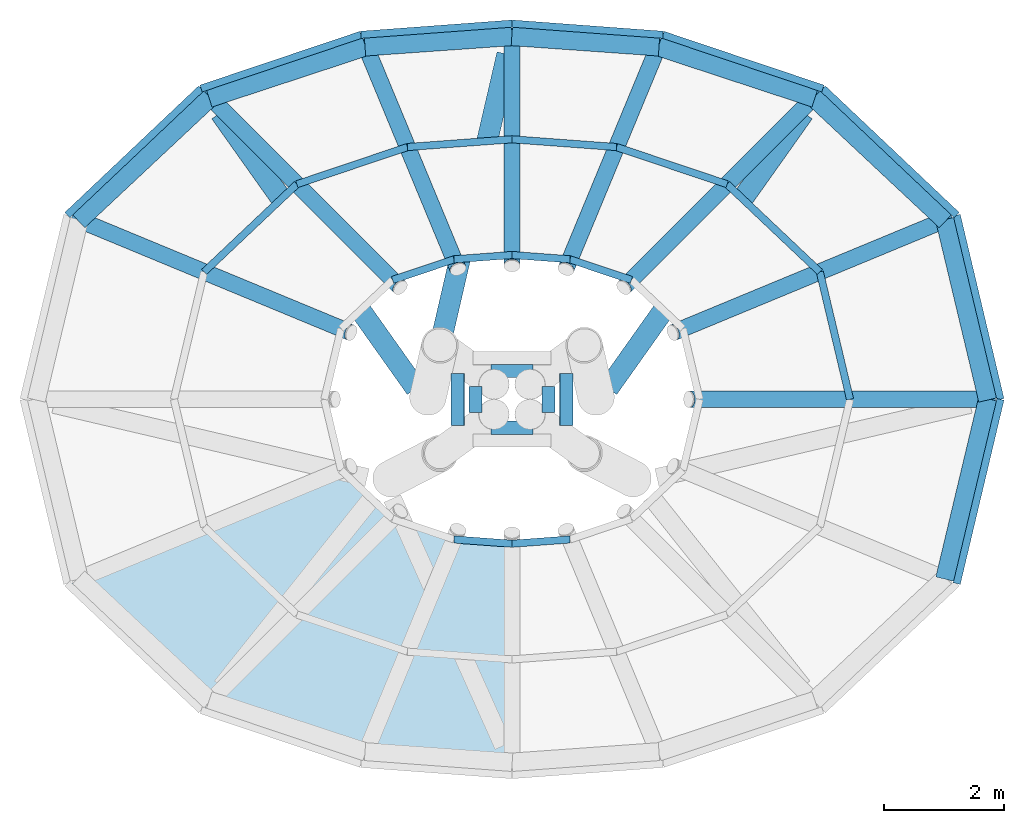
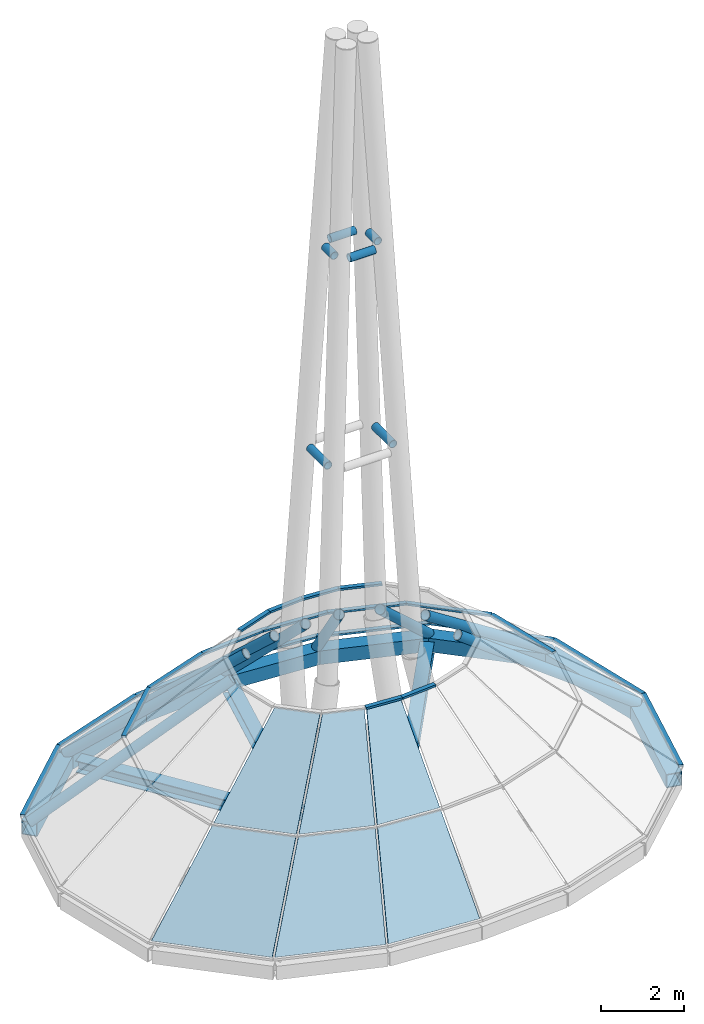
# One storey, part 2 of 4: 35 members, 11 beams, 6 plates, 12 elements without a shape of their own.
"""IFC4 building model written with IfcOpenShell, lengths in metres."""

from ifc_helpers import new_model, si_unit, direction, frame, origin, origin_2d, place, context, subcontext, project, spatial, polyline, rectangle, hollow_rectangle, hollow_circle, i_section, outline, extrude, material, layer, layer_set, material_profile, profile_set, type_object, element, aggregate, save


model = new_model("IFC4")

# Units and contexts
model_context = context("Model", 3, precision=1e-05, world=origin(), true_north=direction((0.0, 1.0)))
body_context = subcontext(model_context, "Body", "Model", "MODEL_VIEW")
ifc_project = project(units=[si_unit("LENGTHUNIT", "METRE"), si_unit("AREAUNIT", "SQUARE_METRE"), si_unit("VOLUMEUNIT", "CUBIC_METRE"), si_unit("PLANEANGLEUNIT", "RADIAN"), si_unit("MASSUNIT", "GRAM", prefix="KILO")], contexts=[model_context])

# Site, building, storey
site_placement = place(None, origin())
site = spatial("IfcSite", under=ifc_project, at=site_placement, CompositionType="ELEMENT")
building_placement = place(site_placement, origin())
building = spatial("IfcBuilding", under=site, at=building_placement, Name="Rubra Terraces Tower", CompositionType="ELEMENT")
storey_placement = place(building_placement, frame((0.0, 0.0, 333.0)))
storey = spatial("IfcBuildingStorey", under=building, at=storey_placement, Name="L82", CompositionType="ELEMENT", Elevation=333.0)

# Members
ifc_material_1 = material(Name="Steel Q355B", Category="steel")
ifc_material_profile_1 = material_profile(ifc_material_1, hollow_circle(Radius=0.136474609375, WallThickness=0.011962890625, at=origin_2d()), Name="CHS 273x12")
ifc_profile_set_1 = profile_set([ifc_material_profile_1], Name="Steel Q355B")
member_type_1 = type_object("IfcMemberType", Name="CROWN POST CHS 273x12", PredefinedType="POST", material=ifc_profile_set_1)
member_1_placement = place(storey_placement, frame((7.95458984375, 0.0, -0.199951171875), z_axis=(-0.800056239455, 0.0, 0.599925006738), x_axis=(0.0, -1.0, 0.0)))
element("IfcMember", 1, at=member_1_placement, inside=storey, type_object=member_type_1, Name="CROWN POST", PredefinedType="POST", context=body_context, shape_type="SweptSolid", body=[
    extrude(hollow_circle(Radius=0.136474609375, WallThickness=0.011962890625, at=origin_2d()), origin(), (0.0, 0.0, 1.0), 6.250732421875),
])
member_2_placement = place(storey_placement, frame((7.240234375, 2.999267578125, -0.199951171875), z_axis=(-0.735221590277, -0.304551814301, 0.605555452124), x_axis=(0.382697440343, -0.923873730092, 0.0)))
element("IfcMember", 2, at=member_2_placement, inside=storey, type_object=member_type_1, Name="CROWN POST", PredefinedType="POST", context=body_context, shape_type="SweptSolid", body=[
    extrude(hollow_circle(Radius=0.136474609375, WallThickness=0.011962890625, at=origin_2d()), origin(), (0.0, 0.0, 1.0), 6.192626953125),
])
member_3_placement = place(storey_placement, frame((5.05029296875, 5.05029296875, -0.199951171875), z_axis=(-0.543293159565, -0.543293159565, 0.640050846059), x_axis=(0.707106781187, -0.707106781187, 0.0)))
element("IfcMember", 3, at=member_3_placement, inside=storey, type_object=member_type_1, Name="CROWN POST", PredefinedType="POST", context=body_context, shape_type="SweptSolid", body=[
    extrude(hollow_circle(Radius=0.136474609375, WallThickness=0.011962890625, at=origin_2d()), origin(), (0.0, 0.0, 1.0), 5.85888671875),
])
member_4_placement = place(storey_placement, frame((2.447265625, 5.9072265625, -0.199951171875), z_axis=(-0.280626944211, -0.677074510125, 0.680307743541), x_axis=(0.923795816776, -0.382885477536, 0.0)))
element("IfcMember", 4, at=member_4_placement, inside=storey, type_object=member_type_1, Name="CROWN POST", PredefinedType="POST", context=body_context, shape_type="SweptSolid", body=[
    extrude(hollow_circle(Radius=0.136474609375, WallThickness=0.011962890625, at=origin_2d()), origin(), (0.0, 0.0, 1.0), 5.51220703125),
])
member_5_placement = place(storey_placement, frame((0.0, 6.08056640625, -0.199951171875), z_axis=(0.0, -0.716092126165, 0.698005778518), x_axis=(1.0, 0.0, 0.0)))
element("IfcMember", 5, at=member_5_placement, inside=storey, type_object=member_type_1, Name="CROWN POST", PredefinedType="POST", context=body_context, shape_type="SweptSolid", body=[
    extrude(hollow_circle(Radius=0.136474609375, WallThickness=0.011962890625, at=origin_2d()), origin(), (0.0, 0.0, 1.0), 5.37255859375),
])
member_6_placement = place(storey_placement, frame((-2.447265625, 5.9072265625, -0.199951171875), z_axis=(0.280626944211, -0.677074510125, 0.680307743541), x_axis=(0.923795816776, 0.382885477536, 0.0)))
element("IfcMember", 6, at=member_6_placement, inside=storey, type_object=member_type_1, Name="CROWN POST", PredefinedType="POST", context=body_context, shape_type="SweptSolid", body=[
    extrude(hollow_circle(Radius=0.136474609375, WallThickness=0.011962890625, at=origin_2d()), origin(), (0.0, 0.0, 1.0), 5.51220703125),
])
member_7_placement = place(storey_placement, frame((-5.05029296875, 5.05029296875, -0.199951171875), z_axis=(0.543293159565, -0.543293159565, 0.640050846059), x_axis=(0.707106781187, 0.707106781187, 0.0)))
element("IfcMember", 7, at=member_7_placement, inside=storey, type_object=member_type_1, Name="CROWN POST", PredefinedType="POST", context=body_context, shape_type="SweptSolid", body=[
    extrude(hollow_circle(Radius=0.136474609375, WallThickness=0.011962890625, at=origin_2d()), origin(), (0.0, 0.0, 1.0), 5.85888671875),
])
member_8_placement = place(storey_placement, frame((-7.240234375, 2.999267578125, -0.199951171875), z_axis=(0.735221590277, -0.304551814301, 0.605555452124), x_axis=(0.382697440343, 0.923873730092, 0.0)))
element("IfcMember", 8, at=member_8_placement, inside=storey, type_object=member_type_1, Name="CROWN POST", PredefinedType="POST", context=body_context, shape_type="SweptSolid", body=[
    extrude(hollow_circle(Radius=0.136474609375, WallThickness=0.011962890625, at=origin_2d()), origin(), (0.0, 0.0, 1.0), 6.192626953125),
])

# Beams
ifc_material_profile_2 = material_profile(ifc_material_1, hollow_rectangle(XDim=0.39990234375, YDim=0.39990234375, WallThickness=0.02001953125, at=origin_2d()), Name="BOX 400x400x20")
ifc_profile_set_2 = profile_set([ifc_material_profile_2], Name="Steel Q355B")
beam_type_1 = type_object("IfcBeamType", Name="CROWN RING GIRDER BOX 400x400x20", PredefinedType="BEAM", material=ifc_profile_set_2)
beam_1_placement = place(storey_placement, frame((7.955078125, 0.0, -0.39990234375), z_axis=(-0.231938111771, 0.972730544554, 0.0), x_axis=(-0.972730544554, -0.231938111771, 0.0)))
element("IfcBeam", 9, at=beam_1_placement, inside=storey, type_object=beam_type_1, Name="CROWN RING GIRDER", PredefinedType="BEAM", context=body_context, shape_type="SweptSolid", body=[
    extrude(hollow_rectangle(XDim=0.39990234375, YDim=0.39990234375, WallThickness=0.02001953125, at=origin_2d()), origin(), (0.0, 0.0, 1.0), 3.0830078125),
])
beam_2_placement = place(storey_placement, frame((7.239990234375, 2.9990234375, -0.39990234375), z_axis=(-0.729877136986, 0.683578353157, 0.0), x_axis=(-0.683578353157, -0.729877136986, 0.0)))
element("IfcBeam", 10, at=beam_2_placement, inside=storey, type_object=beam_type_1, Name="CROWN RING GIRDER", PredefinedType="BEAM", context=body_context, shape_type="SweptSolid", body=[
    extrude(hollow_rectangle(XDim=0.39990234375, YDim=0.39990234375, WallThickness=0.02001953125, at=origin_2d()), origin(), (0.0, 0.0, 1.0), 3.00048828125),
])
beam_3_placement = place(storey_placement, frame((5.050048828125, 5.050048828125, -0.39990234375), z_axis=(-0.949852695666, 0.312697707915, 0.0), x_axis=(-0.312697707915, -0.949852695666, 0.0)))
element("IfcBeam", 11, at=beam_3_placement, inside=storey, type_object=beam_type_1, Name="CROWN RING GIRDER", PredefinedType="BEAM", context=body_context, shape_type="SweptSolid", body=[
    extrude(hollow_rectangle(XDim=0.39990234375, YDim=0.39990234375, WallThickness=0.02001953125, at=origin_2d()), origin(), (0.0, 0.0, 1.0), 2.740478515625),
])
for number, where, z_axis, x_axis, name in (
    (12, (2.447021484375, 5.906982421875, -0.39990234375), (-0.997507467046, 0.070560989139, 0.0), (-0.070560989139, -0.997507467046, 0.0), "CROWN RING GIRDER"),
    (13, (0.0, 6.080078125, -0.39990234375), (-0.997507467046, -0.070560989139, 0.0), (0.070560989139, -0.997507467046, 0.0), "CROWN RING GIRDER"),
):
    element("IfcBeam", number, at=place(storey_placement, frame(where, z_axis=z_axis, x_axis=x_axis)), inside=storey, type_object=beam_type_1, Name=name, PredefinedType="BEAM", context=body_context, shape_type="SweptSolid", body=[
        extrude(hollow_rectangle(XDim=0.39990234375, YDim=0.39990234375, WallThickness=0.02001953125, at=origin_2d()), origin(), (0.0, 0.0, 1.0), 2.453125),
    ])
beam_4_placement = place(storey_placement, frame((-2.447021484375, 5.906982421875, -0.39990234375), z_axis=(-0.949852695666, -0.312697707915, 0.0), x_axis=(0.312697707915, -0.949852695666, 0.0)))
element("IfcBeam", 14, at=beam_4_placement, inside=storey, type_object=beam_type_1, Name="CROWN RING GIRDER", PredefinedType="BEAM", context=body_context, shape_type="SweptSolid", body=[
    extrude(hollow_rectangle(XDim=0.39990234375, YDim=0.39990234375, WallThickness=0.02001953125, at=origin_2d()), origin(), (0.0, 0.0, 1.0), 2.740478515625),
])
beam_5_placement = place(storey_placement, frame((-5.050048828125, 5.050048828125, -0.39990234375), z_axis=(-0.729877136986, -0.683578353157, 0.0), x_axis=(0.683578353157, -0.729877136986, 0.0)))
element("IfcBeam", 15, at=beam_5_placement, inside=storey, type_object=beam_type_1, Name="CROWN RING GIRDER", PredefinedType="BEAM", context=body_context, shape_type="SweptSolid", body=[
    extrude(hollow_rectangle(XDim=0.39990234375, YDim=0.39990234375, WallThickness=0.02001953125, at=origin_2d()), origin(), (0.0, 0.0, 1.0), 3.00048828125),
])
beam_6_placement = place(storey_placement, frame((7.239990234375, -2.9990234375, -0.39990234375), z_axis=(0.231938111771, 0.972730544554, 0.0), x_axis=(-0.972730544554, 0.231938111771, 0.0)))
element("IfcBeam", 16, at=beam_6_placement, inside=storey, type_object=beam_type_1, Name="CROWN RING GIRDER", PredefinedType="BEAM", context=body_context, shape_type="SweptSolid", body=[
    extrude(hollow_rectangle(XDim=0.39990234375, YDim=0.39990234375, WallThickness=0.02001953125, at=origin_2d()), origin(), (0.0, 0.0, 1.0), 3.0830078125),
])

# Curtain wall, members
ifc_material_2 = material(Name="Aluminium and glass", Category="aluminium")
curtain_wall_type = type_object("IfcCurtainWallType", Name="Curtain wall Crown glazing", PredefinedType="NOTDEFINED", material=ifc_material_2)
curtain_wall_1_placement = place(storey_placement, origin())
curtain_wall_1 = element("IfcCurtainWall", 17, at=curtain_wall_1_placement, inside=storey, type_object=curtain_wall_type, Name="Crown glazing L82 facet 1", PredefinedType="NOTDEFINED")
ifc_material_3 = material(Name="Aluminium, anodised dark grey", Category="aluminium")
ifc_material_profile_3 = material_profile(ifc_material_3, rectangle(XDim=0.1201171875, YDim=0.06005859375, at=origin_2d()), Name="AL 120x60")
ifc_profile_set_3 = profile_set([ifc_material_profile_3], Name="Aluminium, anodised dark grey")
member_type_2 = type_object("IfcMemberType", Name="Crown glazing transom 120 x 60", PredefinedType="USERDEFINED", material=ifc_profile_set_3)
member_9_placement = place(storey_placement, frame((8.12109375, 0.0, 0.0), z_axis=(-0.230949465478, 0.972965746774, 0.0), x_axis=(-0.972965746774, -0.230949465478, 0.0)))
member_9 = element("IfcMember", 18, at=member_9_placement, type_object=member_type_2, Name="Crown glazing L82 facet 1 transom 1", ObjectType="TRANSOM", PredefinedType="USERDEFINED", context=body_context, shape_type="SweptSolid", body=[
    extrude(rectangle(XDim=0.1201171875, YDim=0.06005859375, at=origin_2d()), origin(), (0.0, 0.0, 1.0), 3.148193359375),
])
member_10_placement = place(storey_placement, frame((5.62060546875, 0.0, 2.10009765625), z_axis=(-0.23091864147, 0.972973062845, 0.0), x_axis=(-0.972973062845, -0.23091864147, 0.0)))
member_10 = element("IfcMember", 19, at=member_10_placement, type_object=member_type_2, Name="Crown glazing L82 facet 1 transom 2", ObjectType="TRANSOM", PredefinedType="USERDEFINED", context=body_context, shape_type="SweptSolid", body=[
    extrude(rectangle(XDim=0.1201171875, YDim=0.06005859375, at=origin_2d()), origin(), (0.0, 0.0, 1.0), 2.178955078125),
])
aggregate(curtain_wall_1, [member_9, member_10])

curtain_wall_2_placement = place(storey_placement, origin())
curtain_wall_2 = element("IfcCurtainWall", 20, at=curtain_wall_2_placement, inside=storey, type_object=curtain_wall_type, Name="Crown glazing L82 facet 2", PredefinedType="NOTDEFINED")
member_11_placement = place(storey_placement, frame((7.39404296875, 3.06298828125, 0.0), z_axis=(-0.726593128338, 0.687067992161, 0.0), x_axis=(-0.687067992161, -0.726593128338, 0.0)))
member_11 = element("IfcMember", 21, at=member_11_placement, type_object=member_type_2, Name="Crown glazing L82 facet 2 transom 1", ObjectType="TRANSOM", PredefinedType="USERDEFINED", context=body_context, shape_type="SweptSolid", body=[
    extrude(rectangle(XDim=0.1201171875, YDim=0.06005859375, at=origin_2d()), origin(), (0.0, 0.0, 1.0), 3.063720703125),
])
member_12_placement = place(storey_placement, frame((5.1171875, 2.119873046875, 2.10009765625), z_axis=(-0.726578716287, 0.687083232977, 0.0), x_axis=(-0.687083232977, -0.726578716287, 0.0)))
member_12 = element("IfcMember", 22, at=member_12_placement, type_object=member_type_2, Name="Crown glazing L82 facet 2 transom 2", ObjectType="TRANSOM", PredefinedType="USERDEFINED", context=body_context, shape_type="SweptSolid", body=[
    extrude(rectangle(XDim=0.1201171875, YDim=0.06005859375, at=origin_2d()), origin(), (0.0, 0.0, 1.0), 2.120361328125),
])
aggregate(curtain_wall_2, [member_11, member_12])

curtain_wall_3_placement = place(storey_placement, origin())
curtain_wall_3 = element("IfcCurtainWall", 23, at=curtain_wall_3_placement, inside=storey, type_object=curtain_wall_type, Name="Crown glazing L82 facet 3", PredefinedType="NOTDEFINED")
member_13_placement = place(storey_placement, frame((5.16796875, 5.16796875, 0.0), z_axis=(-0.947887726261, 0.318604548623, 0.0), x_axis=(-0.318604548623, -0.947887726261, 0.0)))
member_13 = element("IfcMember", 24, at=member_13_placement, type_object=member_type_2, Name="Crown glazing L82 facet 3 transom 1", ObjectType="TRANSOM", PredefinedType="USERDEFINED", context=body_context, shape_type="SweptSolid", body=[
    extrude(rectangle(XDim=0.1201171875, YDim=0.06005859375, at=origin_2d()), origin(), (0.0, 0.0, 1.0), 2.802978515625),
])
member_14_placement = place(storey_placement, frame((3.57666015625, 3.57666015625, 2.10009765625), z_axis=(-0.947900350353, 0.318566987934, 0.0), x_axis=(-0.318566987934, -0.947900350353, 0.0)))
member_14 = element("IfcMember", 25, at=member_14_placement, type_object=member_type_2, Name="Crown glazing L82 facet 3 transom 2", ObjectType="TRANSOM", PredefinedType="USERDEFINED", context=body_context, shape_type="SweptSolid", body=[
    extrude(rectangle(XDim=0.1201171875, YDim=0.06005859375, at=origin_2d()), origin(), (0.0, 0.0, 1.0), 1.9404296875),
])
member_15_placement = place(storey_placement, frame((1.985107421875, 1.9853515625, 4.199951171875), z_axis=(-0.947887198048, 0.318606120118, 0.0), x_axis=(-0.318606120118, -0.947887198048, 0.0)))
member_15 = element("IfcMember", 26, at=member_15_placement, type_object=member_type_2, Name="Crown glazing L82 facet 3 transom 3", ObjectType="TRANSOM", PredefinedType="USERDEFINED", context=body_context, shape_type="SweptSolid", body=[
    extrude(rectangle(XDim=0.1201171875, YDim=0.06005859375, at=origin_2d()), origin(), (0.0, 0.0, 1.0), 1.077392578125),
])
aggregate(curtain_wall_3, [member_13, member_14, member_15])

curtain_wall_4_placement = place(storey_placement, origin())
curtain_wall_4 = element("IfcCurtainWall", 27, at=curtain_wall_4_placement, inside=storey, type_object=curtain_wall_type, Name="Crown glazing L82 facet 4", PredefinedType="NOTDEFINED")
member_16_placement = place(storey_placement, frame((2.510986328125, 6.06103515625, 0.0), z_axis=(-0.997266696093, 0.073885972039, 0.0), x_axis=(-0.073885972039, -0.997266696093, 0.0)))
member_16 = element("IfcMember", 28, at=member_16_placement, type_object=member_type_2, Name="Crown glazing L82 facet 4 transom 1", ObjectType="TRANSOM", PredefinedType="USERDEFINED", context=body_context, shape_type="SweptSolid", body=[
    extrude(rectangle(XDim=0.1201171875, YDim=0.06005859375, at=origin_2d()), origin(), (0.0, 0.0, 1.0), 2.517822265625),
])
member_17_placement = place(storey_placement, frame((1.737548828125, 4.19482421875, 2.10009765625), z_axis=(-0.997269665787, 0.07384587802, 0.0), x_axis=(-0.07384587802, -0.997269665787, 0.0)))
member_17 = element("IfcMember", 29, at=member_17_placement, type_object=member_type_2, Name="Crown glazing L82 facet 4 transom 2", ObjectType="TRANSOM", PredefinedType="USERDEFINED", context=body_context, shape_type="SweptSolid", body=[
    extrude(rectangle(XDim=0.1201171875, YDim=0.06005859375, at=origin_2d()), origin(), (0.0, 0.0, 1.0), 1.7421875),
])
member_18_placement = place(storey_placement, frame((0.964111328125, 2.328857421875, 4.199951171875), z_axis=(-0.997277392745, 0.073741453199, 0.0), x_axis=(-0.073741453199, -0.997277392745, 0.0)))
member_18 = element("IfcMember", 30, at=member_18_placement, type_object=member_type_2, Name="Crown glazing L82 facet 4 transom 3", ObjectType="TRANSOM", PredefinedType="USERDEFINED", context=body_context, shape_type="SweptSolid", body=[
    extrude(rectangle(XDim=0.1201171875, YDim=0.06005859375, at=origin_2d()), origin(), (0.0, 0.0, 1.0), 0.966796875),
])
aggregate(curtain_wall_4, [member_16, member_17, member_18])

curtain_wall_5_placement = place(storey_placement, origin())
curtain_wall_5 = element("IfcCurtainWall", 31, at=curtain_wall_5_placement, inside=storey, type_object=curtain_wall_type, Name="Crown glazing L82 facet 5", PredefinedType="NOTDEFINED")
member_19_placement = place(storey_placement, frame((0.0, 6.2470703125, 0.0), z_axis=(-0.997266696093, -0.073885972039, 0.0), x_axis=(0.073885972039, -0.997266696093, 0.0)))
member_19 = element("IfcMember", 32, at=member_19_placement, type_object=member_type_2, Name="Crown glazing L82 facet 5 transom 1", ObjectType="TRANSOM", PredefinedType="USERDEFINED", context=body_context, shape_type="SweptSolid", body=[
    extrude(rectangle(XDim=0.1201171875, YDim=0.06005859375, at=origin_2d()), origin(), (0.0, 0.0, 1.0), 2.517822265625),
])
member_20_placement = place(storey_placement, frame((0.0, 4.323486328125, 2.10009765625), z_axis=(-0.997269665787, -0.07384587802, 0.0), x_axis=(0.07384587802, -0.997269665787, 0.0)))
member_20 = element("IfcMember", 33, at=member_20_placement, type_object=member_type_2, Name="Crown glazing L82 facet 5 transom 2", ObjectType="TRANSOM", PredefinedType="USERDEFINED", context=body_context, shape_type="SweptSolid", body=[
    extrude(rectangle(XDim=0.1201171875, YDim=0.06005859375, at=origin_2d()), origin(), (0.0, 0.0, 1.0), 1.7421875),
])
member_21_placement = place(storey_placement, frame((0.0, 2.400146484375, 4.199951171875), z_axis=(-0.997277392745, -0.073741453199, 0.0), x_axis=(0.073741453199, -0.997277392745, 0.0)))
member_21 = element("IfcMember", 34, at=member_21_placement, type_object=member_type_2, Name="Crown glazing L82 facet 5 transom 3", ObjectType="TRANSOM", PredefinedType="USERDEFINED", context=body_context, shape_type="SweptSolid", body=[
    extrude(rectangle(XDim=0.1201171875, YDim=0.06005859375, at=origin_2d()), origin(), (0.0, 0.0, 1.0), 0.966796875),
])
aggregate(curtain_wall_5, [member_19, member_20, member_21])

curtain_wall_6_placement = place(storey_placement, origin())
curtain_wall_6 = element("IfcCurtainWall", 35, at=curtain_wall_6_placement, inside=storey, type_object=curtain_wall_type, Name="Crown glazing L82 facet 6", PredefinedType="NOTDEFINED")
member_22_placement = place(storey_placement, frame((-2.510986328125, 6.06103515625, 0.0), z_axis=(-0.947887726261, -0.318604548623, 0.0), x_axis=(0.318604548623, -0.947887726261, 0.0)))
member_22 = element("IfcMember", 36, at=member_22_placement, type_object=member_type_2, Name="Crown glazing L82 facet 6 transom 1", ObjectType="TRANSOM", PredefinedType="USERDEFINED", context=body_context, shape_type="SweptSolid", body=[
    extrude(rectangle(XDim=0.1201171875, YDim=0.06005859375, at=origin_2d()), origin(), (0.0, 0.0, 1.0), 2.802978515625),
])
member_23_placement = place(storey_placement, frame((-1.7373046875, 4.19482421875, 2.10009765625), z_axis=(-0.947900350353, -0.318566987934, 0.0), x_axis=(0.318566987934, -0.947900350353, 0.0)))
member_23 = element("IfcMember", 37, at=member_23_placement, type_object=member_type_2, Name="Crown glazing L82 facet 6 transom 2", ObjectType="TRANSOM", PredefinedType="USERDEFINED", context=body_context, shape_type="SweptSolid", body=[
    extrude(rectangle(XDim=0.1201171875, YDim=0.06005859375, at=origin_2d()), origin(), (0.0, 0.0, 1.0), 1.9404296875),
])
member_24_placement = place(storey_placement, frame((-0.9638671875, 2.32861328125, 4.199951171875), z_axis=(-0.947887198048, -0.318606120118, 0.0), x_axis=(0.318606120118, -0.947887198048, 0.0)))
member_24 = element("IfcMember", 38, at=member_24_placement, type_object=member_type_2, Name="Crown glazing L82 facet 6 transom 3", ObjectType="TRANSOM", PredefinedType="USERDEFINED", context=body_context, shape_type="SweptSolid", body=[
    extrude(rectangle(XDim=0.1201171875, YDim=0.06005859375, at=origin_2d()), origin(), (0.0, 0.0, 1.0), 1.077392578125),
])
aggregate(curtain_wall_6, [member_22, member_23, member_24])

curtain_wall_7_placement = place(storey_placement, origin())
curtain_wall_7 = element("IfcCurtainWall", 39, at=curtain_wall_7_placement, inside=storey, type_object=curtain_wall_type, Name="Crown glazing L82 facet 7", PredefinedType="NOTDEFINED")
member_25_placement = place(storey_placement, frame((-5.16796875, 5.16796875, 0.0), z_axis=(-0.726593128338, -0.687067992161, 0.0), x_axis=(0.687067992161, -0.726593128338, 0.0)))
member_25 = element("IfcMember", 40, at=member_25_placement, type_object=member_type_2, Name="Crown glazing L82 facet 7 transom 1", ObjectType="TRANSOM", PredefinedType="USERDEFINED", context=body_context, shape_type="SweptSolid", body=[
    extrude(rectangle(XDim=0.1201171875, YDim=0.06005859375, at=origin_2d()), origin(), (0.0, 0.0, 1.0), 3.063720703125),
])
member_26_placement = place(storey_placement, frame((-3.57666015625, 3.57666015625, 2.10009765625), z_axis=(-0.726578716287, -0.687083232977, 0.0), x_axis=(0.687083232977, -0.726578716287, 0.0)))
member_26 = element("IfcMember", 41, at=member_26_placement, type_object=member_type_2, Name="Crown glazing L82 facet 7 transom 2", ObjectType="TRANSOM", PredefinedType="USERDEFINED", context=body_context, shape_type="SweptSolid", body=[
    extrude(rectangle(XDim=0.1201171875, YDim=0.06005859375, at=origin_2d()), origin(), (0.0, 0.0, 1.0), 2.120361328125),
])
aggregate(curtain_wall_7, [member_25, member_26])

# Curtain wall, member
curtain_wall_8_placement = place(storey_placement, origin())
curtain_wall_8 = element("IfcCurtainWall", 42, at=curtain_wall_8_placement, inside=storey, type_object=curtain_wall_type, Name="Crown glazing L82 facet 12", PredefinedType="NOTDEFINED")
member_27_placement = place(storey_placement, frame((-0.964111328125, -2.328857421875, 4.199951171875), z_axis=(0.997277392745, -0.073741453199, 0.0), x_axis=(0.073741453199, 0.997277392745, 0.0)))
member_27 = element("IfcMember", 43, at=member_27_placement, type_object=member_type_2, Name="Crown glazing L82 facet 12 transom 3", ObjectType="TRANSOM", PredefinedType="USERDEFINED", context=body_context, shape_type="SweptSolid", body=[
    extrude(rectangle(XDim=0.1201171875, YDim=0.06005859375, at=origin_2d()), origin(), (0.0, 0.0, 1.0), 0.966796875),
])

curtain_wall_9_placement = place(storey_placement, origin())
curtain_wall_9 = element("IfcCurtainWall", 44, at=curtain_wall_9_placement, inside=storey, type_object=curtain_wall_type, Name="Crown glazing L82 facet 13", PredefinedType="NOTDEFINED")
member_28_placement = place(storey_placement, frame((0.0, -2.400146484375, 4.199951171875), z_axis=(0.997277392745, 0.073741453199, 0.0), x_axis=(-0.073741453199, 0.997277392745, 0.0)))
member_28 = element("IfcMember", 45, at=member_28_placement, type_object=member_type_2, Name="Crown glazing L82 facet 13 transom 3", ObjectType="TRANSOM", PredefinedType="USERDEFINED", context=body_context, shape_type="SweptSolid", body=[
    extrude(rectangle(XDim=0.1201171875, YDim=0.06005859375, at=origin_2d()), origin(), (0.0, 0.0, 1.0), 0.966796875),
])
aggregate(curtain_wall_9, [member_28])

curtain_wall_10_placement = place(storey_placement, origin())
curtain_wall_10 = element("IfcCurtainWall", 46, at=curtain_wall_10_placement, inside=storey, type_object=curtain_wall_type, Name="Crown glazing L82 facet 16", PredefinedType="NOTDEFINED")
member_29_placement = place(storey_placement, frame((7.39404296875, -3.06298828125, 0.0), z_axis=(0.230949465478, 0.972965746774, 0.0), x_axis=(-0.972965746774, 0.230949465478, 0.0)))
member_29 = element("IfcMember", 47, at=member_29_placement, type_object=member_type_2, Name="Crown glazing L82 facet 16 transom 1", ObjectType="TRANSOM", PredefinedType="USERDEFINED", context=body_context, shape_type="SweptSolid", body=[
    extrude(rectangle(XDim=0.1201171875, YDim=0.06005859375, at=origin_2d()), origin(), (0.0, 0.0, 1.0), 3.148193359375),
])
aggregate(curtain_wall_10, [member_29])

# Beams
ifc_material_profile_4 = material_profile(ifc_material_1, i_section(OverallWidth=0.35009765625, OverallDepth=0.35009765625, WebThickness=0.011962890625, FlangeThickness=0.01904296875, at=origin_2d()), Name="HW 350x350x12x19")
ifc_profile_set_4 = profile_set([ifc_material_profile_4], Name="Steel Q355B")
beam_type_2 = type_object("IfcBeamType", Name="FLOOR BEAM HW 350x350x12x19", PredefinedType="BEAM", material=ifc_profile_set_4)
beam_7_placement = place(storey_placement, frame((4.847900390625, 4.764892578125, -0.375), z_axis=(-0.578374108142, -0.815771653731, 0.0), x_axis=(0.815771653731, -0.578374108142, 0.0)))
element("IfcBeam", 48, at=beam_7_placement, inside=storey, type_object=beam_type_2, Name="beam-L82-crown-floor-03", PredefinedType="BEAM", context=body_context, shape_type="SweptSolid", body=[
    extrude(i_section(OverallWidth=0.35009765625, OverallDepth=0.35009765625, WebThickness=0.011962890625, FlangeThickness=0.01904296875, at=origin_2d()), origin(), (0.0, 0.0, 1.0), 5.619140625),
])
beam_8_placement = place(storey_placement, frame((-0.0791015625, 5.739013671875, -0.375), z_axis=(-0.225133852469, -0.974327844451, 0.0), x_axis=(0.974327844451, -0.225133852469, 0.0)))
element("IfcBeam", 49, at=beam_8_placement, inside=storey, type_object=beam_type_2, Name="beam-L82-crown-floor-05", PredefinedType="BEAM", context=body_context, shape_type="SweptSolid", body=[
    extrude(i_section(OverallWidth=0.35009765625, OverallDepth=0.35009765625, WebThickness=0.011962890625, FlangeThickness=0.01904296875, at=origin_2d()), origin(), (0.0, 0.0, 1.0), 5.654296875),
])
beam_9_placement = place(storey_placement, frame((-4.847900390625, 4.764892578125, -0.375), z_axis=(0.578374108142, -0.815771653731, 0.0), x_axis=(0.815771653731, 0.578374108142, 0.0)))
element("IfcBeam", 50, at=beam_9_placement, inside=storey, type_object=beam_type_2, Name="beam-L82-crown-floor-07", PredefinedType="BEAM", context=body_context, shape_type="SweptSolid", body=[
    extrude(i_section(OverallWidth=0.35009765625, OverallDepth=0.35009765625, WebThickness=0.011962890625, FlangeThickness=0.01904296875, at=origin_2d()), origin(), (0.0, 0.0, 1.0), 5.619140625),
])

# Members
ifc_material_profile_5 = material_profile(ifc_material_1, hollow_circle(Radius=0.109619140625, WallThickness=0.010009765625, at=origin_2d()), Name="CHS 219x10")
ifc_profile_set_5 = profile_set([ifc_material_profile_5], Name="Steel Q355B")
member_type_3 = type_object("IfcMemberType", Name="SPIRE MAST RING LOWER CHS 219x10", PredefinedType="STRUT", material=ifc_profile_set_5)
for number, where, z_axis, x_axis, name in (
    (51, (-0.903076171875, 0.430908203125, 10.139892578125), (0.0, -1.0, 0.0), (1.0, 0.0, 0.0), "SPIRE MAST RING"),
    (52, (0.903076171875, -0.430908203125, 10.139892578125), (0.0, 1.0, 0.0), (-1.0, 0.0, 0.0), "SPIRE MAST RING"),
):
    element("IfcMember", number, at=place(storey_placement, frame(where, z_axis=z_axis, x_axis=x_axis)), inside=storey, type_object=member_type_3, Name=name, PredefinedType="STRUT", context=body_context, shape_type="SweptSolid", body=[
        extrude(hollow_circle(Radius=0.109619140625, WallThickness=0.010009765625, at=origin_2d()), origin(), (0.0, 0.0, 1.0), 0.86181640625),
    ])
ifc_material_profile_6 = material_profile(ifc_material_1, hollow_circle(Radius=0.109619140625, WallThickness=0.010009765625, at=origin_2d()), Name="CHS 219x10")
ifc_profile_set_6 = profile_set([ifc_material_profile_6], Name="Steel Q355B")
member_type_4 = type_object("IfcMemberType", Name="SPIRE MAST RING UPPER CHS 219x10", PredefinedType="STRUT", material=ifc_profile_set_6)
member_30_placement = place(storey_placement, frame((0.35205078125, 0.470947265625, 16.080078125), z_axis=(-1.0, 0.0, 0.0), x_axis=(0.0, -1.0, 0.0)))
element("IfcMember", 53, at=member_30_placement, inside=storey, type_object=member_type_4, Name="SPIRE MAST RING", PredefinedType="STRUT", context=body_context, shape_type="SweptSolid", body=[
    extrude(hollow_circle(Radius=0.109619140625, WallThickness=0.010009765625, at=origin_2d()), origin(), (0.0, 0.0, 1.0), 0.7041015625),
])
member_31_placement = place(storey_placement, frame((-0.60595703125, 0.217041015625, 16.080078125), z_axis=(0.0, -1.0, 0.0), x_axis=(1.0, 0.0, 0.0)))
element("IfcMember", 54, at=member_31_placement, inside=storey, type_object=member_type_4, Name="SPIRE MAST RING", PredefinedType="STRUT", context=body_context, shape_type="SweptSolid", body=[
    extrude(hollow_circle(Radius=0.109619140625, WallThickness=0.010009765625, at=origin_2d()), origin(), (0.0, 0.0, 1.0), 0.43408203125),
])
member_32_placement = place(storey_placement, frame((-0.35205078125, -0.470947265625, 16.080078125), z_axis=(1.0, 0.0, 0.0), x_axis=(0.0, 1.0, 0.0)))
element("IfcMember", 55, at=member_32_placement, inside=storey, type_object=member_type_4, Name="SPIRE MAST RING", PredefinedType="STRUT", context=body_context, shape_type="SweptSolid", body=[
    extrude(hollow_circle(Radius=0.109619140625, WallThickness=0.010009765625, at=origin_2d()), origin(), (0.0, 0.0, 1.0), 0.7041015625),
])
member_33_placement = place(storey_placement, frame((0.60595703125, -0.217041015625, 16.080078125), z_axis=(0.0, 1.0, 0.0), x_axis=(-1.0, 0.0, 0.0)))
element("IfcMember", 56, at=member_33_placement, inside=storey, type_object=member_type_4, Name="SPIRE MAST RING", PredefinedType="STRUT", context=body_context, shape_type="SweptSolid", body=[
    extrude(hollow_circle(Radius=0.109619140625, WallThickness=0.010009765625, at=origin_2d()), origin(), (0.0, 0.0, 1.0), 0.43408203125),
])

# Curtain wall, plates
curtain_wall_11_placement = place(storey_placement, origin())
curtain_wall_11 = element("IfcCurtainWall", 57, at=curtain_wall_11_placement, inside=storey, type_object=curtain_wall_type, Name="Crown glazing L82 facet 10", PredefinedType="NOTDEFINED")
ifc_material_4 = material(Name="Clear glass, laminated", Category="glass")
ifc_layer = layer(ifc_material_4, 0.028076171875)
ifc_layer_set = layer_set([ifc_layer], Name="Clear glass, laminated")
plate_type = type_object("IfcPlateType", Name="Crown glazing glass panel 28", PredefinedType="CURTAIN_PANEL", material=ifc_layer_set)
plate_1_placement = place(storey_placement, frame((-7.35107421875, -3.074951171875, 0.01953125), z_axis=(-0.468845230284, -0.49582250127, 0.730988506937), x_axis=(0.726598322171, -0.687062499498, 1.519384e-06)))
plate_1 = element("IfcPlate", 58, at=plate_1_placement, type_object=plate_type, Name="Crown glazing L82 facet 10 panel 1.1", PredefinedType="CURTAIN_PANEL", context=body_context, shape_type="SweptSolid", body=[
    extrude(outline(polyline([(0.0, 0.0), (2.994808005682726, 0.0), (3.0565569032122206, 3.0203127197491426), (0.9874266779915362, 3.020323994926186), (0.0, 0.0)])), origin(), (0.0, 0.0, -1.0), 0.028076171875),
])
plate_2_placement = place(storey_placement, frame((-5.074462890625, -2.131591796875, 2.119384765625), z_axis=(-0.468857779524, -0.495808450367, 0.730989988388), x_axis=(0.726581350948, -0.687080446845, 4.141263e-06)))
plate_2 = element("IfcPlate", 59, at=plate_2_placement, type_object=plate_type, Name="Crown glazing L82 facet 10 panel 1.2", PredefinedType="CURTAIN_PANEL", context=body_context, shape_type="SweptSolid", body=[
    extrude(outline(polyline([(0.0, 0.0), (2.051686579339472, 0.0), (2.1133863459619215, 3.020313723792108), (0.9877226786566521, 3.020333006426366), (0.0, 0.0)])), origin(), (0.0, 0.0, -1.0), 0.028076171875),
])
aggregate(curtain_wall_11, [plate_1, plate_2])

curtain_wall_12_placement = place(storey_placement, origin())
curtain_wall_12 = element("IfcCurtainWall", 60, at=curtain_wall_12_placement, inside=storey, type_object=curtain_wall_type, Name="Crown glazing L82 facet 11", PredefinedType="NOTDEFINED")
plate_3_placement = place(storey_placement, frame((-5.1240234375, -5.162109375, 0.0205078125), z_axis=(-0.229825427444, -0.683913531602, 0.692417904298), x_axis=(0.94790670017, -0.318548093215, -9.08248e-06)))
plate_3 = element("IfcPlate", 61, at=plate_3_placement, type_object=plate_type, Name="Crown glazing L82 facet 11 panel 1.1", PredefinedType="CURTAIN_PANEL", context=body_context, shape_type="SweptSolid", body=[
    extrude(outline(polyline([(0.0, 0.0), (2.7344982988995974, 1.1102230246251565e-16), (2.8706192845311267, 2.8539398550559563), (0.9819712537630314, 2.8538816570960575), (0.0, 0.0)])), origin(), (0.0, 0.0, -1.0), 0.028076171875),
])
plate_4_placement = place(storey_placement, frame((-3.53271484375, -3.57080078125, 2.12060546875), z_axis=(-0.229766540036, -0.683889773002, 0.692460912588), x_axis=(0.947927587208, -0.318485932659, -1.0441416e-05)))
plate_4 = element("IfcPlate", 62, at=plate_4_placement, type_object=plate_type, Name="Crown glazing L82 facet 11 panel 1.2", PredefinedType="CURTAIN_PANEL", context=body_context, shape_type="SweptSolid", body=[
    extrude(outline(polyline([(0.0, 0.0), (1.8718946170357489, -1.1102230246251565e-16), (2.0081423943091075, 2.853757665104137), (0.9823294651719532, 2.853715727416075), (0.0, 0.0)])), origin(), (0.0, 0.0, -1.0), 0.028076171875),
])
aggregate(curtain_wall_12, [plate_3, plate_4])

# Plate
plate_5_placement = place(storey_placement, frame((-2.47314453125, -6.0439453125, 0.021484375), z_axis=(-0.054596357365, -0.736354220187, 0.674389872533), x_axis=(0.997262719506, -0.073939625914, 1.714499e-06)))
plate_5 = element("IfcPlate", 63, at=plate_5_placement, type_object=plate_type, Name="Crown glazing L82 facet 12 panel 1.1", PredefinedType="CURTAIN_PANEL", context=body_context, shape_type="SweptSolid", body=[
    extrude(outline(polyline([(0.0, 0.0), (2.4500655515736125, 1.3877787807814457e-17), (2.3107824195184254, 2.7856841852839205), (0.6203634335179905, 2.785693799437508), (0.0, 0.0)])), origin(), (0.0, 0.0, -1.0), 0.028076171875),
])

plate_6_placement = place(storey_placement, frame((-1.69970703125, -4.177978515625, 2.12158203125), z_axis=(-0.05451544493, -0.736341437518, 0.674410374815), x_axis=(0.997272551755, -0.073806887651, 2.9191609e-05)))
plate_6 = element("IfcPlate", 64, at=plate_6_placement, type_object=plate_type, Name="Crown glazing L82 facet 12 panel 1.2", PredefinedType="CURTAIN_PANEL", context=body_context, shape_type="SweptSolid", body=[
    extrude(outline(polyline([(0.0, 0.0), (1.6744849949103613, 1.3877787807814457e-17), (1.5355084309924734, 2.785699495725112), (0.6208954521754578, 2.7858018580833255), (0.0, 0.0)])), origin(), (0.0, 0.0, -1.0), 0.028076171875),
])

aggregate(curtain_wall_8, [member_27, plate_5, plate_6])

save(model, "model.ifc")
